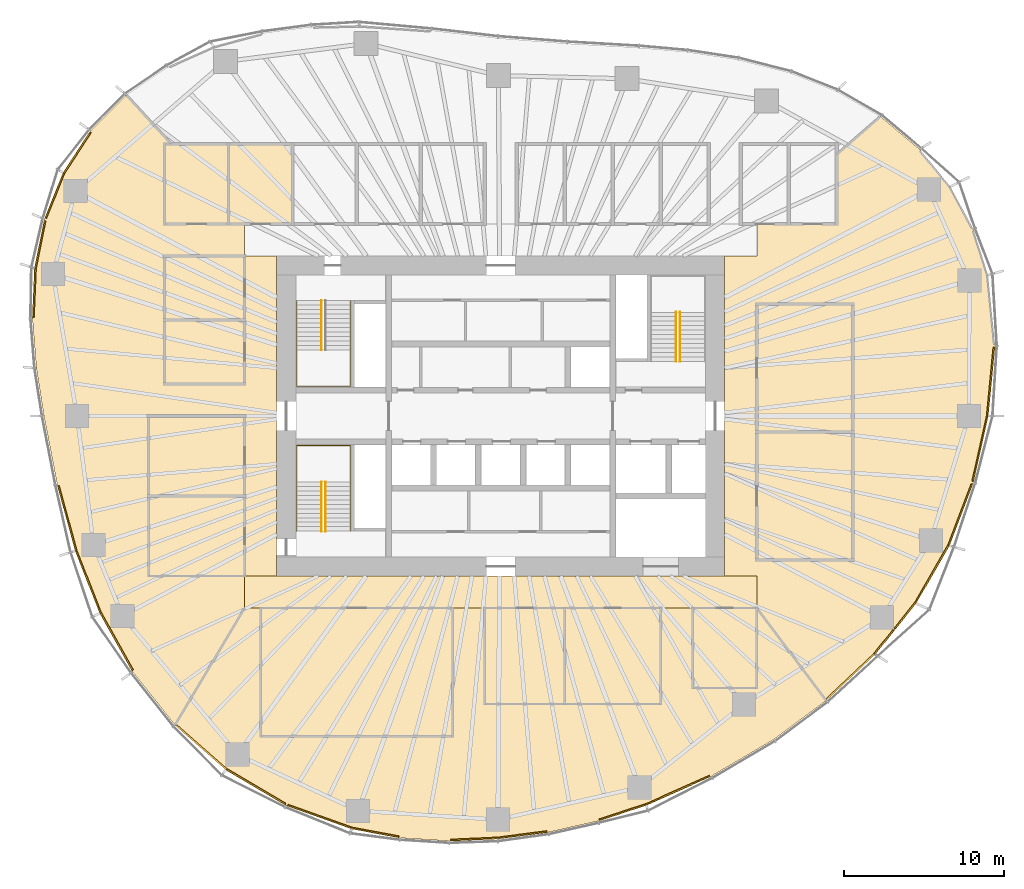
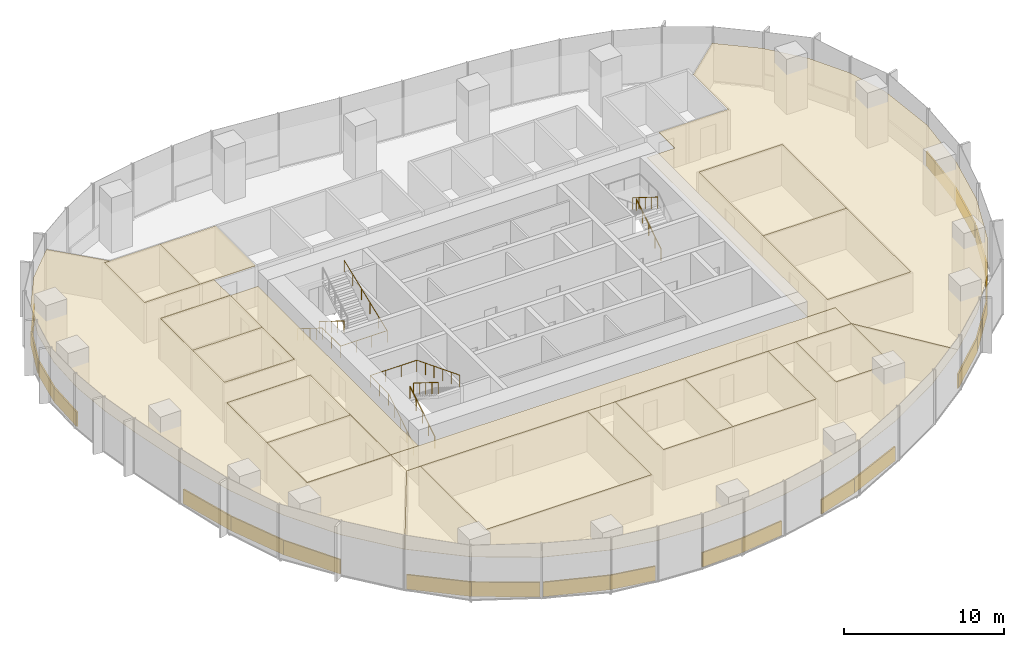
# One storey, part 17 of 18: 38 coverings, 7 railings.
"""IFC4 building model written with IfcOpenShell, lengths in metres."""

import ifcopenshell
import ifcopenshell.guid

model = None  # the IFC model being written
_history = None  # IfcOwnerHistory: only IFC2X3 demands one
_inside = {}  # id of a spatial element -> (the spatial element, [elements in it])
_under = {}  # id of a project, library or spatial element -> (it, [spatial elements below it])
_declared = {}  # id of a project -> (the project, [libraries it declares])
_typed = {}  # id of a type object -> (the type object, [elements of that type])
_made_of = {}  # id of a material, layer set ... -> (it, [elements and type objects made of it])


def new_model(schema):
    """Start an empty IFC model of exactly this schema.

    Asked for "IFC4X3", IfcOpenShell would pick the latest addendum, in which some entities
    have other attributes; the version numbers below select the first issue.
    IFC2X3 requires an IfcOwnerHistory on every rooted entity: one is made here for all.
    """
    global model, _history
    if schema == "IFC4X3":
        model = ifcopenshell.file(schema_version=(4, 3, 0, 0))
    else:
        model = ifcopenshell.file(schema=schema)
    _inside.clear()
    _under.clear()
    _declared.clear()
    _typed.clear()
    _made_of.clear()
    _history = None
    if model.schema == "IFC2X3":
        org = make("IfcOrganization", Name="unknown")
        user = make(
            "IfcPersonAndOrganization",
            ThePerson=make("IfcPerson", FamilyName="unknown"),
            TheOrganization=org,
        )
        app = make(
            "IfcApplication",
            ApplicationDeveloper=org,
            Version="unknown",
            ApplicationFullName="unknown",
            ApplicationIdentifier="unknown",
        )
        _history = make(
            "IfcOwnerHistory",
            OwningUser=user,
            OwningApplication=app,
            ChangeAction="ADDED",
            CreationDate=0,
        )
    return model


def make(cls, **values):
    """One entity of the class cls with the attributes given. An attribute that is None is left unset."""
    return model.create_entity(
        cls, **{name: value for name, value in values.items() if value is not None}
    )


def rooted(cls, **values):
    """An entity with a GlobalId (a new one), such as an element, a storey or a relation."""
    return make(cls, GlobalId=ifcopenshell.guid.new(), OwnerHistory=_history, **values)


def si_unit(unit_type, name, prefix=None):
    """IfcSIUnit, for example si_unit("LENGTHUNIT", "METRE", prefix="MILLI")."""
    return make("IfcSIUnit", UnitType=unit_type, Prefix=prefix, Name=name)


def assignment(units):
    """IfcUnitAssignment: the units of a project."""
    return None if units is None else make("IfcUnitAssignment", Units=units)


def point(xyz):
    """IfcCartesianPoint."""
    return None if xyz is None else make("IfcCartesianPoint", Coordinates=xyz)


def direction(xyz):
    """IfcDirection."""
    return None if xyz is None else make("IfcDirection", DirectionRatios=xyz)


def frame(location, z_axis=None, x_axis=None):
    """IfcAxis2Placement3D, a coordinate frame: its origin and axes. An axis left out is left unset."""
    return make(
        "IfcAxis2Placement3D",
        Location=point(location),
        Axis=direction(z_axis),
        RefDirection=direction(x_axis),
    )


def frame_2d(location, x_axis=None):
    """IfcAxis2Placement2D, a coordinate frame in the plane: its origin and x axis."""
    return make(
        "IfcAxis2Placement2D", Location=point(location), RefDirection=direction(x_axis)
    )


def origin():
    """The frame at (0, 0, 0) with its axes left unset."""
    return frame((0.0, 0.0, 0.0))


def origin_2d():
    """The frame at (0, 0) in the plane with its x axis left unset."""
    return frame_2d((0.0, 0.0))


def place(relative_to, where):
    """IfcLocalPlacement: puts the frame where relative to a parent placement (None: the world)."""
    return make(
        "IfcLocalPlacement", PlacementRelTo=relative_to, RelativePlacement=where
    )


def context(
    kind, dimensions, precision=None, world=None, true_north=None, identifier=None
):
    """IfcGeometricRepresentationContext, for example the 3D "Model" context."""
    return make(
        "IfcGeometricRepresentationContext",
        ContextIdentifier=identifier,
        ContextType=kind,
        CoordinateSpaceDimension=dimensions,
        Precision=precision,
        WorldCoordinateSystem=world,
        TrueNorth=true_north,
    )


def subcontext(parent, identifier, kind, view, scale=None):
    """IfcGeometricRepresentationSubContext, for example "Body" below "Model"."""
    return make(
        "IfcGeometricRepresentationSubContext",
        ContextIdentifier=identifier,
        ContextType=kind,
        ParentContext=parent,
        TargetScale=scale,
        TargetView=view,
    )


def project(units=None, contexts=None):
    """IfcProject with its units and contexts."""
    return rooted(
        "IfcProject",
        Name="project",
        RepresentationContexts=contexts,
        UnitsInContext=assignment(units),
    )


def spatial(cls, under=None, at=None, **own):
    """A site, building, storey or space (cls), placed at a placement, below another one or the project."""
    s = rooted(cls, ObjectPlacement=at, **own)
    if under is not None:
        _under.setdefault(under.id(), (under, []))[1].append(s)
    return s


def polyline(points):
    """IfcPolyline through the points."""
    return make("IfcPolyline", Points=[point(p) for p in points])


def profile(cls, at=None, kind="AREA", **sizes):
    """A parametric profile (cls). Its sizes go by their IFC names, for example OverallWidth=200.0."""
    return make(cls, ProfileType=kind, Position=at, **sizes)


def rectangle(**sizes):
    """IfcRectangleProfileDef."""
    return profile("IfcRectangleProfileDef", **sizes)


def circle(**sizes):
    """IfcCircleProfileDef."""
    return profile("IfcCircleProfileDef", **sizes)


def outline(outer, holes=None, kind="AREA"):
    """IfcArbitraryClosedProfileDef: a profile drawn as a closed curve; with holes, ...WithVoids."""
    if holes is None:
        return make("IfcArbitraryClosedProfileDef", ProfileType=kind, OuterCurve=outer)
    return make(
        "IfcArbitraryProfileDefWithVoids",
        ProfileType=kind,
        OuterCurve=outer,
        InnerCurves=holes,
    )


def extrude(swept, where, along, depth):
    """IfcExtrudedAreaSolid: the profile swept, set in the frame where, extruded along a direction by depth."""
    return make(
        "IfcExtrudedAreaSolid",
        SweptArea=swept,
        Position=where,
        ExtrudedDirection=direction(along),
        Depth=depth,
    )


def shape(context_of_items, identifier, shape_type, items):
    """IfcShapeRepresentation: the items that make up one representation, for example the "Body"."""
    return make(
        "IfcShapeRepresentation",
        ContextOfItems=context_of_items,
        RepresentationIdentifier=identifier,
        RepresentationType=shape_type,
        Items=items,
    )


def material(Name=None, Category=None):
    """IfcMaterial."""
    return make("IfcMaterial", Name=Name, Category=Category)


def layer(
    of_material, thickness, ventilated=None, Name=None, Category=None, Priority=None
):
    """IfcMaterialLayer: one layer of a wall or slab, of a material (None: an air gap)."""
    return make(
        "IfcMaterialLayer",
        Material=of_material,
        LayerThickness=thickness,
        IsVentilated=ventilated,
        Name=Name,
        Category=Category,
        Priority=Priority,
    )


def layer_set(layers, Name=None):
    """IfcMaterialLayerSet."""
    return make("IfcMaterialLayerSet", MaterialLayers=layers, LayerSetName=Name)


def made_of(thing, what):
    """Note that an element or type object is made of a material, layer set ...; save() writes the relation."""
    if what is not None:
        _made_of.setdefault(what.id(), (what, []))[1].append(thing)
    return thing


def type_object(cls, material=None, **own):
    """A type object (cls), such as IfcWallType, which elements share."""
    return made_of(rooted(cls, **own), material)


def element(
    cls,
    number,
    at=None,
    inside=None,
    cuts=None,
    type_object=None,
    material=None,
    context=None,
    identifier="Body",
    shape_type=None,
    held_by="IfcProductDefinitionShape",
    body=None,
    shapes=None,
    **own,
):
    """One element of the class cls, such as IfcWall. Its Tag is "e" and its number.

    at: its placement. inside: the storey or other place that contains it. cuts: it is an
    opening in that element (IfcRelVoidsElement). A single representation is given by context,
    identifier, shape_type and body (its items); several are given by shapes. held_by: the class
    of the entity that holds the representations. save() writes the other relations.
    """
    e = rooted(cls, Tag="e%d" % number, ObjectPlacement=at, **own)
    if body is not None:
        shapes = [shape(context, identifier, shape_type, body)]
    if shapes is not None:
        e.Representation = make(held_by, Representations=shapes)
    if inside is not None:
        _inside.setdefault(inside.id(), (inside, []))[1].append(e)
    if cuts is not None:
        rooted(
            "IfcRelVoidsElement", RelatingBuildingElement=cuts, RelatedOpeningElement=e
        )
    if type_object is not None:
        _typed.setdefault(type_object.id(), (type_object, []))[1].append(e)
    return made_of(e, material)


def aggregate(whole, parts):
    """IfcRelAggregates: a whole, such as a stair, and the parts it consists of."""
    return rooted("IfcRelAggregates", RelatingObject=whole, RelatedObjects=parts)


def save(model, path):
    """Write the relations noted so far, then the file.

    IfcRelAggregates (storeys below a building ...), IfcRelContainedInSpatialStructure (elements
    in a storey), IfcRelDefinesByType, IfcRelAssociatesMaterial and IfcRelDeclares: one each for
    every whole, place, type object, material and project.
    """
    for whole, parts in _under.values():
        aggregate(whole, parts)
    for where, things in _inside.values():
        rooted(
            "IfcRelContainedInSpatialStructure",
            RelatedElements=things,
            RelatingStructure=where,
        )
    for kind, things in _typed.values():
        rooted("IfcRelDefinesByType", RelatedObjects=things, RelatingType=kind)
    for what, things in _made_of.values():
        rooted("IfcRelAssociatesMaterial", RelatedObjects=things, RelatingMaterial=what)
    for by, libraries in _declared.values():
        rooted("IfcRelDeclares", RelatingContext=by, RelatedDefinitions=libraries)
    model.write(path)


model = new_model("IFC4")

# Units and contexts
model_context = context("Model", 3, precision=1e-05, world=origin(), true_north=direction((0.0, 1.0)))
body_context = subcontext(model_context, "Body", "Model", "MODEL_VIEW")
ifc_project = project(units=[si_unit("LENGTHUNIT", "METRE"), si_unit("AREAUNIT", "SQUARE_METRE"), si_unit("VOLUMEUNIT", "CUBIC_METRE"), si_unit("PLANEANGLEUNIT", "RADIAN"), si_unit("MASSUNIT", "GRAM", prefix="KILO")], contexts=[model_context])

# Site, building, storey
site_placement = place(None, origin())
site = spatial("IfcSite", under=ifc_project, at=site_placement, CompositionType="ELEMENT")
building_placement = place(site_placement, origin())
building = spatial("IfcBuilding", under=site, at=building_placement, Name="Ghaith Harvest Tower", CompositionType="ELEMENT")
storey_placement = place(building_placement, frame((0.0, 0.0, 142.800048828125)))
storey = spatial("IfcBuildingStorey", under=building, at=storey_placement, Name="L30", CompositionType="ELEMENT", Elevation=142.800048828125)

# Coverings
ifc_material_1 = material(Name="Mineral fibre ceiling tile", Category="gypsum")
ifc_layer_1 = layer(ifc_material_1, 0.02001953125)
ifc_layer_set_1 = layer_set([ifc_layer_1], Name="CEILING C1")
covering_type_1 = type_object("IfcCoveringType", Name="CEILING C1", PredefinedType="CEILING", material=ifc_layer_set_1)
covering_1_placement = place(storey_placement, frame((0.0, 0.0, 3.0)))
element("IfcCovering", 1, at=covering_1_placement, inside=storey, type_object=covering_type_1, Name="Ceiling L30-01", PredefinedType="CEILING", context=body_context, shape_type="SweptSolid", body=[
    extrude(outline(polyline([(-15.0, -20.0), (-3.0, -20.0), (-3.0, -12.0), (-15.0, -12.0), (-15.0, -20.0)])), origin(), (0.0, 0.0, 1.0), 0.02001953125),
])
covering_2_placement = place(storey_placement, frame((0.0, 0.0, 3.0)))
element("IfcCovering", 2, at=covering_2_placement, inside=storey, type_object=covering_type_1, Name="Ceiling L30-02", PredefinedType="CEILING", context=body_context, shape_type="SweptSolid", body=[
    extrude(outline(polyline([(-1.0, -18.0), (4.0, -18.0), (4.0, -12.0), (-1.0, -12.0), (-1.0, -18.0)])), origin(), (0.0, 0.0, 1.0), 0.02001953125),
])
covering_3_placement = place(storey_placement, frame((0.0, 0.0, 3.0)))
element("IfcCovering", 3, at=covering_3_placement, inside=storey, type_object=covering_type_1, Name="Ceiling L30-03", PredefinedType="CEILING", context=body_context, shape_type="SweptSolid", body=[
    extrude(outline(polyline([(4.0, -18.0), (10.0, -18.0), (10.0, -12.0), (4.0, -12.0), (4.0, -18.0)])), origin(), (0.0, 0.0, 1.0), 0.02001953125),
])
covering_4_placement = place(storey_placement, frame((0.0, 0.0, 3.0)))
element("IfcCovering", 4, at=covering_4_placement, inside=storey, type_object=covering_type_1, Name="Ceiling L30-04", PredefinedType="CEILING", context=body_context, shape_type="SweptSolid", body=[
    extrude(outline(polyline([(-21.0, 12.0), (-17.0, 12.0), (-17.0, 17.0), (-21.0, 17.0), (-21.0, 12.0)])), origin(), (0.0, 0.0, 1.0), 0.02001953125),
])
covering_5_placement = place(storey_placement, frame((0.0, 0.0, 3.0)))
element("IfcCovering", 5, at=covering_5_placement, inside=storey, type_object=covering_type_1, Name="Ceiling L30-05", PredefinedType="CEILING", context=body_context, shape_type="SweptSolid", body=[
    extrude(outline(polyline([(-17.0, 12.0), (-13.0, 12.0), (-13.0, 17.0), (-17.0, 17.0), (-17.0, 12.0)])), origin(), (0.0, 0.0, 1.0), 0.02001953125),
])
covering_6_placement = place(storey_placement, frame((0.0, 0.0, 3.0)))
element("IfcCovering", 6, at=covering_6_placement, inside=storey, type_object=covering_type_1, Name="Ceiling L30-13", PredefinedType="CEILING", context=body_context, shape_type="SweptSolid", body=[
    extrude(outline(polyline([(16.0, -9.0), (22.0, -9.0), (22.0, -1.0), (16.0, -1.0), (16.0, -9.0)])), origin(), (0.0, 0.0, 1.0), 0.02001953125),
])
covering_7_placement = place(storey_placement, frame((0.0, 0.0, 3.0)))
element("IfcCovering", 7, at=covering_7_placement, inside=storey, type_object=covering_type_1, Name="Ceiling L30-14", PredefinedType="CEILING", context=body_context, shape_type="SweptSolid", body=[
    extrude(outline(polyline([(16.0, -1.0), (22.0, -1.0), (22.0, 7.0), (16.0, 7.0), (16.0, -1.0)])), origin(), (0.0, 0.0, 1.0), 0.02001953125),
])
covering_8_placement = place(storey_placement, frame((0.0, 0.0, 3.0)))
element("IfcCovering", 8, at=covering_8_placement, inside=storey, type_object=covering_type_1, Name="Ceiling L30-15", PredefinedType="CEILING", context=body_context, shape_type="SweptSolid", body=[
    extrude(outline(polyline([(-22.0, -10.0), (-16.0, -10.0), (-16.0, -5.0), (-22.0, -5.0), (-22.0, -10.0)])), origin(), (0.0, 0.0, 1.0), 0.02001953125),
])
covering_9_placement = place(storey_placement, frame((0.0, 0.0, 3.0)))
element("IfcCovering", 9, at=covering_9_placement, inside=storey, type_object=covering_type_1, Name="Ceiling L30-16", PredefinedType="CEILING", context=body_context, shape_type="SweptSolid", body=[
    extrude(outline(polyline([(-22.0, -5.0), (-16.0, -5.0), (-16.0, 0.0), (-22.0, 0.0), (-22.0, -5.0)])), origin(), (0.0, 0.0, 1.0), 0.02001953125),
])
covering_10_placement = place(storey_placement, frame((0.0, 0.0, 3.0)))
element("IfcCovering", 10, at=covering_10_placement, inside=storey, type_object=covering_type_1, Name="Ceiling L30-19", PredefinedType="CEILING", context=body_context, shape_type="SweptSolid", body=[
    extrude(outline(polyline([(12.0, -17.0), (16.0, -17.0), (16.0, -12.0), (12.0, -12.0), (12.0, -17.0)])), origin(), (0.0, 0.0, 1.0), 0.02001953125),
])
covering_11_placement = place(storey_placement, frame((0.0, 0.0, 3.0)))
element("IfcCovering", 11, at=covering_11_placement, inside=storey, type_object=covering_type_1, Name="Ceiling L30-20", PredefinedType="CEILING", context=body_context, shape_type="SweptSolid", body=[
    extrude(outline(polyline([(-21.0, 2.0), (-16.0, 2.0), (-16.0, 6.0), (-21.0, 6.0), (-21.0, 2.0)])), origin(), (0.0, 0.0, 1.0), 0.02001953125),
])
covering_12_placement = place(storey_placement, frame((0.0, 0.0, 3.0)))
element("IfcCovering", 12, at=covering_12_placement, inside=storey, type_object=covering_type_1, Name="Ceiling L30-21", PredefinedType="CEILING", context=body_context, shape_type="SweptSolid", body=[
    extrude(outline(polyline([(-21.0, 6.0), (-16.0, 6.0), (-16.0, 10.0), (-21.0, 10.0), (-21.0, 6.0)])), origin(), (0.0, 0.0, 1.0), 0.02001953125),
])
covering_13_placement = place(storey_placement, frame((0.0, 0.0, 3.0)))
element("IfcCovering", 13, at=covering_13_placement, inside=storey, type_object=covering_type_1, Name="Ceiling L30-C2", PredefinedType="CEILING", context=body_context, shape_type="SweptSolid", body=[
    extrude(outline(polyline([(-16.0, -10.0), (16.0, -10.0), (16.0, -12.0), (-16.0, -12.0), (-16.0, -10.0)])), origin(), (0.0, 0.0, 1.0), 0.02001953125),
])
covering_14_placement = place(storey_placement, frame((0.0, 0.0, 3.0)))
element("IfcCovering", 14, at=covering_14_placement, inside=storey, type_object=covering_type_1, Name="Ceiling L30-E1", PredefinedType="CEILING", context=body_context, shape_type="SweptSolid", body=[
    extrude(outline(polyline([(26.179443359375, 16.660888671875), (28.0888671875, 14.32568359375), (29.52294921875, 11.671875), (30.439208984375, 8.797607421875), (30.8798828125, 4.373046875), (30.458740234375, 0.0), (29.527099609375, -4.181396484375), (28.03125, -8.1015625), (25.94775390625, -11.714111328125), (23.400390625, -14.89208984375), (20.33935546875, -17.784912109375), (16.0, -12.0), (16.0, -10.0), (14.0, -10.0), (14.0, 10.0), (16.0, 10.0), (16.0, 12.0), (21.0, 12.0), (21.0, 16.3466796875), (23.7275390625, 18.718017578125), (26.179443359375, 16.660888671875)]), holes=[polyline([(16.0, 7.0), (16.0, -9.0), (22.0, -9.0), (22.0, 7.0), (16.0, 7.0)])]), origin(), (0.0, 0.0, 1.0), 0.02001953125),
])
covering_15_placement = place(storey_placement, frame((0.0, 0.0, 3.0)))
element("IfcCovering", 15, at=covering_15_placement, inside=storey, type_object=covering_type_1, Name="Ceiling L30-S1", PredefinedType="CEILING", context=body_context, shape_type="SweptSolid", body=[
    extrude(outline(polyline([(17.054443359375, -20.22412109375), (13.163818359375, -22.510498046875), (9.09423828125, -24.326904296875), (6.09228515625, -25.308837890625), (2.99609375, -26.010009765625), (-0.180908203125, -26.423583984375), (-3.204833984375, -26.556884765625), (-6.2666015625, -26.366455078125), (-9.317138671875, -25.79638671875), (-13.4052734375, -24.33740234375), (-17.1728515625, -22.11181640625), (-20.35400390625, -19.31396484375), (-16.0, -12.0), (-15.0, -12.0), (-15.0, -20.0), (-3.0, -20.0), (-3.0, -12.0), (-1.0, -12.0), (-1.0, -18.0), (10.0, -18.0), (10.0, -12.0), (12.0, -12.0), (12.0, -17.0), (16.0, -17.0), (16.0, -12.0), (20.33935546875, -17.784912109375), (17.054443359375, -20.22412109375)])), origin(), (0.0, 0.0, 1.0), 0.02001953125),
])
covering_16_placement = place(storey_placement, frame((0.0, 0.0, 3.0)))
element("IfcCovering", 16, at=covering_16_placement, inside=storey, type_object=covering_type_1, Name="Ceiling L30-W1", PredefinedType="CEILING", context=body_context, shape_type="SweptSolid", body=[
    extrude(outline(polyline([(-29.12646484375, 9.230712890625), (-28.506591796875, 12.29638671875), (-27.33837890625, 15.204833984375), (-25.61962890625, 17.826416015625), (-23.398193359375, 20.06103515625), (-20.5888671875, 17.0), (-21.0, 17.0), (-21.0, 12.0), (-16.0, 12.0), (-16.0, 10.010009765625), (-21.010009765625, 10.010009765625), (-21.010009765625, 1.989990234375), (-15.989990234375, 1.989990234375), (-15.989990234375, 10.0), (-14.0, 10.0), (-14.0, -10.0), (-15.989990234375, -10.0), (-15.989990234375, 0.010009765625), (-22.010009765625, 0.010009765625), (-22.010009765625, -10.010009765625), (-16.0, -10.010009765625), (-16.0, -12.0), (-20.35400390625, -19.31396484375), (-22.99169921875, -15.997802734375), (-25.046875, -12.32861328125), (-26.580078125, -8.423583984375), (-27.70947265625, -4.285888671875), (-28.541259765625, 0.0), (-29.01171875, 2.978271484375), (-29.260498046875, 6.07177734375), (-29.12646484375, 9.230712890625)])), origin(), (0.0, 0.0, 1.0), 0.02001953125),
])

# Railings
ifc_material_2 = material(Name="Steel, black powder-coated", Category="steel")
railing_type = type_object("IfcRailingType", Name="HANDRAIL HR1", PredefinedType="HANDRAIL", material=ifc_material_2)
railing_1_placement = place(storey_placement, frame((-11.199951171875, 7.199951171875, 0.175048828125)))
element("IfcRailing", 17, at=railing_1_placement, inside=storey, type_object=railing_type, Name="Handrail HR1 stair ST1 L30 flight 1 inner", PredefinedType="HANDRAIL", context=body_context, shape_type="SweptSolid", body=[
    extrude(circle(Radius=0.02392578125, at=origin_2d()), frame((0.0, 0.0, 0.8759765625), z_axis=(0.0, -0.848009633417, 0.529980812513), x_axis=(1.0, 0.0, 0.0)), (0.0, 0.0, 1.0), 3.6318359375),
    extrude(circle(Radius=0.02099609375, at=origin_2d()), origin(), (0.0, 0.0, 1.0), 0.851806640625),
    extrude(circle(Radius=0.02099609375, at=origin_2d()), frame((0.0, -0.77001953125, 0.481201171875)), (0.0, 0.0, 1.0), 0.851806640625),
    extrude(circle(Radius=0.02099609375, at=origin_2d()), frame((0.0, -1.5400390625, 0.96240234375)), (0.0, 0.0, 1.0), 0.851806640625),
    extrude(circle(Radius=0.02099609375, at=origin_2d()), frame((0.0, -2.309814453125, 1.443603515625)), (0.0, 0.0, 1.0), 0.851806640625),
    extrude(circle(Radius=0.02099609375, at=origin_2d()), frame((0.0, -3.079833984375, 1.9248046875)), (0.0, 0.0, 1.0), 0.851806640625),
])
railing_2_placement = place(storey_placement, frame((-12.75, 7.199951171875, 0.175048828125)))
element("IfcRailing", 18, at=railing_2_placement, inside=storey, type_object=railing_type, Name="Handrail HR1 stair ST1 L30 wall side", PredefinedType="HANDRAIL", context=body_context, shape_type="SweptSolid", body=[
    extrude(circle(Radius=0.02392578125, at=origin_2d()), frame((0.0, 0.0, 0.8759765625), z_axis=(0.0, -0.848009633417, 0.529980812513), x_axis=(1.0, 0.0, 0.0)), (0.0, 0.0, 1.0), 3.6318359375),
    extrude(circle(Radius=0.02392578125, at=origin_2d()), frame((0.0, -3.079833984375, 2.80078125), z_axis=(0.0, -1.0, 0.0), x_axis=(1.0, 0.0, 0.0)), (0.0, 0.0, 1.0), 2.27001953125),
    extrude(circle(Radius=0.02392578125, at=origin_2d()), frame((0.0, -5.349853515625, 2.80078125), z_axis=(1.0, 0.0, 0.0), x_axis=(0.0, 1.0, 0.0)), (0.0, 0.0, 1.0), 3.35009765625),
    extrude(circle(Radius=0.02392578125, at=origin_2d()), frame((3.35009765625, -5.349853515625, 2.80078125), z_axis=(0.0, 0.930848013298, 0.36540659017), x_axis=(-1.0, 0.0, 0.0)), (0.0, 0.0, 1.0), 5.747314453125),
    extrude(circle(Radius=0.02099609375, at=origin_2d()), origin(), (0.0, 0.0, 1.0), 0.851806640625),
    extrude(circle(Radius=0.02099609375, at=origin_2d()), frame((0.0, -0.77001953125, 0.481201171875)), (0.0, 0.0, 1.0), 0.851806640625),
    extrude(circle(Radius=0.02099609375, at=origin_2d()), frame((0.0, -1.5400390625, 0.96240234375)), (0.0, 0.0, 1.0), 0.851806640625),
    extrude(circle(Radius=0.02099609375, at=origin_2d()), frame((0.0, -2.309814453125, 1.443603515625)), (0.0, 0.0, 1.0), 0.851806640625),
    extrude(circle(Radius=0.02099609375, at=origin_2d()), frame((0.0, -3.079833984375, 1.9248046875)), (0.0, 0.0, 1.0), 0.851806640625),
    extrude(circle(Radius=0.02099609375, at=origin_2d()), frame((0.0, -4.21484375, 1.9248046875)), (0.0, 0.0, 1.0), 0.851806640625),
    extrude(circle(Radius=0.02099609375, at=origin_2d()), frame((0.0, -5.349853515625, 1.9248046875)), (0.0, 0.0, 1.0), 0.851806640625),
    extrude(circle(Radius=0.02099609375, at=origin_2d()), frame((1.11669921875, -5.349853515625, 1.9248046875)), (0.0, 0.0, 1.0), 0.851806640625),
    extrude(circle(Radius=0.02099609375, at=origin_2d()), frame((2.2333984375, -5.349853515625, 1.9248046875)), (0.0, 0.0, 1.0), 0.851806640625),
    extrude(circle(Radius=0.02099609375, at=origin_2d()), frame((3.35009765625, -5.349853515625, 1.9248046875)), (0.0, 0.0, 1.0), 0.851806640625),
    extrude(circle(Radius=0.02099609375, at=origin_2d()), frame((3.35009765625, -4.27978515625, 2.3447265625)), (0.0, 0.0, 1.0), 0.851806640625),
    extrude(circle(Radius=0.02099609375, at=origin_2d()), frame((3.35009765625, -3.2099609375, 2.764892578125)), (0.0, 0.0, 1.0), 0.851806640625),
    extrude(circle(Radius=0.02099609375, at=origin_2d()), frame((3.35009765625, -2.139892578125, 3.184814453125)), (0.0, 0.0, 1.0), 0.851806640625),
    extrude(circle(Radius=0.02099609375, at=origin_2d()), frame((3.35009765625, -1.070068359375, 3.60498046875)), (0.0, 0.0, 1.0), 0.851806640625),
    extrude(circle(Radius=0.02099609375, at=origin_2d()), frame((3.35009765625, 0.0, 4.02490234375)), (0.0, 0.0, 1.0), 0.851806640625),
])
railing_3_placement = place(storey_placement, frame((-11.199951171875, -7.199951171875, 0.175048828125)))
element("IfcRailing", 19, at=railing_3_placement, inside=storey, type_object=railing_type, Name="Handrail HR1 stair ST3 L30 flight 1 inner", PredefinedType="HANDRAIL", context=body_context, shape_type="SweptSolid", body=[
    extrude(circle(Radius=0.02392578125, at=origin_2d()), frame((0.0, 0.0, 0.8759765625), z_axis=(0.0, 0.848009633417, 0.529980812513), x_axis=(-1.0, 0.0, 0.0)), (0.0, 0.0, 1.0), 3.6318359375),
    extrude(circle(Radius=0.02099609375, at=origin_2d()), origin(), (0.0, 0.0, 1.0), 0.851806640625),
    extrude(circle(Radius=0.02099609375, at=origin_2d()), frame((0.0, 0.77001953125, 0.481201171875)), (0.0, 0.0, 1.0), 0.851806640625),
    extrude(circle(Radius=0.02099609375, at=origin_2d()), frame((0.0, 1.5400390625, 0.96240234375)), (0.0, 0.0, 1.0), 0.851806640625),
    extrude(circle(Radius=0.02099609375, at=origin_2d()), frame((0.0, 2.309814453125, 1.443603515625)), (0.0, 0.0, 1.0), 0.851806640625),
    extrude(circle(Radius=0.02099609375, at=origin_2d()), frame((0.0, 3.079833984375, 1.9248046875)), (0.0, 0.0, 1.0), 0.851806640625),
])
railing_4_placement = place(storey_placement, frame((-10.949951171875, -4.1201171875, 2.27490234375)))
element("IfcRailing", 20, at=railing_4_placement, inside=storey, type_object=railing_type, Name="Handrail HR1 stair ST3 L30 flight 2 inner", PredefinedType="HANDRAIL", context=body_context, shape_type="SweptSolid", body=[
    extrude(circle(Radius=0.02392578125, at=origin_2d()), frame((0.0, 0.0, 0.8759765625), z_axis=(0.0, -0.847979421464, 0.530029150871), x_axis=(1.0, 0.0, 0.0)), (0.0, 0.0, 1.0), 3.632080078125),
    extrude(circle(Radius=0.02099609375, at=origin_2d()), origin(), (0.0, 0.0, 1.0), 0.851806640625),
    extrude(circle(Radius=0.02099609375, at=origin_2d()), frame((0.0, -0.77001953125, 0.481201171875)), (0.0, 0.0, 1.0), 0.851806640625),
    extrude(circle(Radius=0.02099609375, at=origin_2d()), frame((0.0, -1.5400390625, 0.96240234375)), (0.0, 0.0, 1.0), 0.851806640625),
    extrude(circle(Radius=0.02099609375, at=origin_2d()), frame((0.0, -2.309814453125, 1.44384765625)), (0.0, 0.0, 1.0), 0.851806640625),
    extrude(circle(Radius=0.02099609375, at=origin_2d()), frame((0.0, -3.079833984375, 1.925048828125)), (0.0, 0.0, 1.0), 0.851806640625),
])
railing_5_placement = place(storey_placement, frame((-12.75, -7.199951171875, 0.175048828125)))
element("IfcRailing", 21, at=railing_5_placement, inside=storey, type_object=railing_type, Name="Handrail HR1 stair ST3 L30 wall side", PredefinedType="HANDRAIL", context=body_context, shape_type="SweptSolid", body=[
    extrude(circle(Radius=0.02392578125, at=origin_2d()), frame((0.0, 0.0, 0.8759765625), z_axis=(0.0, 0.848009633417, 0.529980812513), x_axis=(-1.0, 0.0, 0.0)), (0.0, 0.0, 1.0), 3.6318359375),
    extrude(circle(Radius=0.02392578125, at=origin_2d()), frame((0.0, 3.079833984375, 2.80078125), z_axis=(0.0, 1.0, 0.0), x_axis=(-1.0, 0.0, 0.0)), (0.0, 0.0, 1.0), 2.27001953125),
    extrude(circle(Radius=0.02392578125, at=origin_2d()), frame((0.0, 5.349853515625, 2.80078125), z_axis=(1.0, 0.0, 0.0), x_axis=(0.0, 1.0, 0.0)), (0.0, 0.0, 1.0), 3.35009765625),
    extrude(circle(Radius=0.02392578125, at=origin_2d()), frame((3.35009765625, 5.349853515625, 2.80078125), z_axis=(0.0, -0.930848013298, 0.36540659017), x_axis=(1.0, 0.0, 0.0)), (0.0, 0.0, 1.0), 5.747314453125),
    extrude(circle(Radius=0.02099609375, at=origin_2d()), origin(), (0.0, 0.0, 1.0), 0.851806640625),
    extrude(circle(Radius=0.02099609375, at=origin_2d()), frame((0.0, 0.77001953125, 0.481201171875)), (0.0, 0.0, 1.0), 0.851806640625),
    extrude(circle(Radius=0.02099609375, at=origin_2d()), frame((0.0, 1.5400390625, 0.96240234375)), (0.0, 0.0, 1.0), 0.851806640625),
    extrude(circle(Radius=0.02099609375, at=origin_2d()), frame((0.0, 2.309814453125, 1.443603515625)), (0.0, 0.0, 1.0), 0.851806640625),
    extrude(circle(Radius=0.02099609375, at=origin_2d()), frame((0.0, 3.079833984375, 1.9248046875)), (0.0, 0.0, 1.0), 0.851806640625),
    extrude(circle(Radius=0.02099609375, at=origin_2d()), frame((0.0, 4.21484375, 1.9248046875)), (0.0, 0.0, 1.0), 0.851806640625),
    extrude(circle(Radius=0.02099609375, at=origin_2d()), frame((0.0, 5.349853515625, 1.9248046875)), (0.0, 0.0, 1.0), 0.851806640625),
    extrude(circle(Radius=0.02099609375, at=origin_2d()), frame((1.11669921875, 5.349853515625, 1.9248046875)), (0.0, 0.0, 1.0), 0.851806640625),
    extrude(circle(Radius=0.02099609375, at=origin_2d()), frame((2.2333984375, 5.349853515625, 1.9248046875)), (0.0, 0.0, 1.0), 0.851806640625),
    extrude(circle(Radius=0.02099609375, at=origin_2d()), frame((3.35009765625, 5.349853515625, 1.9248046875)), (0.0, 0.0, 1.0), 0.851806640625),
    extrude(circle(Radius=0.02099609375, at=origin_2d()), frame((3.35009765625, 4.27978515625, 2.3447265625)), (0.0, 0.0, 1.0), 0.851806640625),
    extrude(circle(Radius=0.02099609375, at=origin_2d()), frame((3.35009765625, 3.2099609375, 2.764892578125)), (0.0, 0.0, 1.0), 0.851806640625),
    extrude(circle(Radius=0.02099609375, at=origin_2d()), frame((3.35009765625, 2.139892578125, 3.184814453125)), (0.0, 0.0, 1.0), 0.851806640625),
    extrude(circle(Radius=0.02099609375, at=origin_2d()), frame((3.35009765625, 1.070068359375, 3.60498046875)), (0.0, 0.0, 1.0), 0.851806640625),
    extrude(circle(Radius=0.02099609375, at=origin_2d()), frame((3.35009765625, 0.0, 4.02490234375)), (0.0, 0.0, 1.0), 0.851806640625),
])
railing_6_placement = place(storey_placement, frame((11.199951171875, 3.39990234375, 0.175048828125)))
element("IfcRailing", 22, at=railing_6_placement, inside=storey, type_object=railing_type, Name="Handrail HR1 stair ST2 L30 flight 1 inner", PredefinedType="HANDRAIL", context=body_context, shape_type="SweptSolid", body=[
    extrude(circle(Radius=0.02392578125, at=origin_2d()), frame((0.0, 0.0, 0.8759765625), z_axis=(0.0, 0.848028513186, 0.529950602248), x_axis=(-1.0, 0.0, 0.0)), (0.0, 0.0, 1.0), 3.632080078125),
    extrude(circle(Radius=0.02099609375, at=origin_2d()), origin(), (0.0, 0.0, 1.0), 0.851806640625),
    extrude(circle(Radius=0.02099609375, at=origin_2d()), frame((0.0, 0.77001953125, 0.481201171875)), (0.0, 0.0, 1.0), 0.851806640625),
    extrude(circle(Radius=0.02099609375, at=origin_2d()), frame((0.0, 1.5400390625, 0.96240234375)), (0.0, 0.0, 1.0), 0.851806640625),
    extrude(circle(Radius=0.02099609375, at=origin_2d()), frame((0.0, 2.31005859375, 1.443603515625)), (0.0, 0.0, 1.0), 0.851806640625),
    extrude(circle(Radius=0.02099609375, at=origin_2d()), frame((0.0, 3.080078125, 1.9248046875)), (0.0, 0.0, 1.0), 0.851806640625),
])
railing_7_placement = place(storey_placement, frame((10.949951171875, 6.47998046875, 2.27490234375)))
element("IfcRailing", 23, at=railing_7_placement, inside=storey, type_object=railing_type, Name="Handrail HR1 stair ST2 L30 flight 2 inner", PredefinedType="HANDRAIL", context=body_context, shape_type="SweptSolid", body=[
    extrude(circle(Radius=0.02392578125, at=origin_2d()), frame((0.0, 0.0, 0.8759765625), z_axis=(0.0, -0.847998304005, 0.529998940003), x_axis=(1.0, 0.0, 0.0)), (0.0, 0.0, 1.0), 3.632080078125),
    extrude(circle(Radius=0.02099609375, at=origin_2d()), origin(), (0.0, 0.0, 1.0), 0.851806640625),
    extrude(circle(Radius=0.02099609375, at=origin_2d()), frame((0.0, -0.77001953125, 0.481201171875)), (0.0, 0.0, 1.0), 0.851806640625),
    extrude(circle(Radius=0.02099609375, at=origin_2d()), frame((0.0, -1.5400390625, 0.96240234375)), (0.0, 0.0, 1.0), 0.851806640625),
    extrude(circle(Radius=0.02099609375, at=origin_2d()), frame((0.0, -2.31005859375, 1.44384765625)), (0.0, 0.0, 1.0), 0.851806640625),
    extrude(circle(Radius=0.02099609375, at=origin_2d()), frame((0.0, -3.080078125, 1.925048828125)), (0.0, 0.0, 1.0), 0.851806640625),
])

# Coverings
ifc_material_3 = material(Name="Insulated aluminium spandrel panel on steel framing", Category="steel")
ifc_layer_2 = layer(ifc_material_3, 0.10009765625)
ifc_layer_set_2 = layer_set([ifc_layer_2], Name="SLAB EDGE UPSTAND 1100x100")
covering_type_2 = type_object("IfcCoveringType", Name="SLAB EDGE UPSTAND 1100x100", PredefinedType="CLADDING", material=ifc_layer_set_2)
covering_17_placement = place(storey_placement, frame((30.61474609375, 2.1416015625, 0.0), z_axis=(0.0, 0.0, 1.0), x_axis=(0.095861332319, 0.99539469808, 0.0)))
element("IfcCovering", 24, at=covering_17_placement, inside=storey, type_object=covering_type_2, Name="Slab edge upstand 1 bay 01 L30", PredefinedType="CLADDING", context=body_context, shape_type="SweptSolid", body=[
    extrude(rectangle(XDim=4.293212890625, YDim=0.10009765625, at=origin_2d()), origin(), (0.0, 0.0, 1.0), 1.10009765625),
])
covering_18_placement = place(storey_placement, frame((-26.464599609375, 16.4462890625, 0.0), z_axis=(0.0, 0.0, 1.0), x_axis=(-0.548312211554, -0.836273710373, 0.0)))
element("IfcCovering", 25, at=covering_18_placement, inside=storey, type_object=covering_type_2, Name="Slab edge upstand 1 bay 09 L30", PredefinedType="CLADDING", context=body_context, shape_type="SweptSolid", body=[
    extrude(rectangle(XDim=3.03466796875, YDim=0.10009765625, at=origin_2d()), origin(), (0.0, 0.0, 1.0), 1.10009765625),
])
covering_19_placement = place(storey_placement, frame((-27.857421875, 13.7783203125, 0.0), z_axis=(0.0, 0.0, 1.0), x_axis=(-0.372732078847, -0.927939005215, 0.0)))
element("IfcCovering", 26, at=covering_19_placement, inside=storey, type_object=covering_type_2, Name="Slab edge upstand 2 bay 09 L30", PredefinedType="CLADDING", context=body_context, shape_type="SweptSolid", body=[
    extrude(rectangle(XDim=3.034423828125, YDim=0.10009765625, at=origin_2d()), origin(), (0.0, 0.0, 1.0), 1.10009765625),
])
covering_20_placement = place(storey_placement, frame((-28.777587890625, 10.70458984375, 0.0), z_axis=(0.0, 0.0, 1.0), x_axis=(-0.198182542943, -0.980165128778, 0.0)))
element("IfcCovering", 27, at=covering_20_placement, inside=storey, type_object=covering_type_2, Name="Slab edge upstand 3 bay 09 L30", PredefinedType="CLADDING", context=body_context, shape_type="SweptSolid", body=[
    extrude(rectangle(XDim=3.027587890625, YDim=0.10009765625, at=origin_2d()), origin(), (0.0, 0.0, 1.0), 1.10009765625),
])
covering_21_placement = place(storey_placement, frame((-29.141357421875, 7.69921875, 0.0), z_axis=(0.0, 0.0, 1.0), x_axis=(-0.042372799788, -0.9991018696, 0.0)))
element("IfcCovering", 28, at=covering_21_placement, inside=storey, type_object=covering_type_2, Name="Slab edge upstand 1 bay 10 L30", PredefinedType="CLADDING", context=body_context, shape_type="SweptSolid", body=[
    extrude(rectangle(XDim=3.061767578125, YDim=0.10009765625, at=origin_2d()), origin(), (0.0, 0.0, 1.0), 1.10009765625),
])
covering_22_placement = place(storey_placement, frame((-27.08349609375, -6.389892578125, 0.0), z_axis=(0.0, 0.0, 1.0), x_axis=(0.263287721652, -0.964717355305, 0.0)))
element("IfcCovering", 29, at=covering_22_placement, inside=storey, type_object=covering_type_2, Name="Slab edge upstand 2 bay 11 L30", PredefinedType="CLADDING", context=body_context, shape_type="SweptSolid", body=[
    extrude(rectangle(XDim=4.189208984375, YDim=0.10009765625, at=origin_2d()), origin(), (0.0, 0.0, 1.0), 1.10009765625),
])
covering_23_placement = place(storey_placement, frame((-25.76708984375, -10.35791015625, 0.0), z_axis=(0.0, 0.0, 1.0), x_axis=(0.365514970008, -0.930805461254, 0.0)))
element("IfcCovering", 30, at=covering_23_placement, inside=storey, type_object=covering_type_2, Name="Slab edge upstand 1 bay 12 L30", PredefinedType="CLADDING", context=body_context, shape_type="SweptSolid", body=[
    extrude(rectangle(XDim=4.195068359375, YDim=0.10009765625, at=origin_2d()), origin(), (0.0, 0.0, 1.0), 1.10009765625),
])
covering_24_placement = place(storey_placement, frame((-24.0, -14.09521484375, 0.0), z_axis=(0.0, 0.0, 1.0), x_axis=(0.488683758288, -0.872460993045, 0.0)))
element("IfcCovering", 31, at=covering_24_placement, inside=storey, type_object=covering_type_2, Name="Slab edge upstand 2 bay 12 L30", PredefinedType="CLADDING", context=body_context, shape_type="SweptSolid", body=[
    extrude(rectangle(XDim=4.10546875, YDim=0.10009765625, at=origin_2d()), origin(), (0.0, 0.0, 1.0), 1.10009765625),
])
covering_25_placement = place(storey_placement, frame((-18.69287109375, -20.70849609375, 0.0), z_axis=(0.0, 0.0, 1.0), x_axis=(0.75089221411, -0.660424774511, 0.0)))
element("IfcCovering", 32, at=covering_25_placement, inside=storey, type_object=covering_type_2, Name="Slab edge upstand 2 bay 13 L30", PredefinedType="CLADDING", context=body_context, shape_type="SweptSolid", body=[
    extrude(rectangle(XDim=4.136474609375, YDim=0.10009765625, at=origin_2d()), origin(), (0.0, 0.0, 1.0), 1.10009765625),
])
covering_26_placement = place(storey_placement, frame((-15.306640625, -23.15625, 0.0), z_axis=(0.0, 0.0, 1.0), x_axis=(0.861020519069, -0.508570217121, 0.0)))
element("IfcCovering", 33, at=covering_26_placement, inside=storey, type_object=covering_type_2, Name="Slab edge upstand 1 bay 14 L30", PredefinedType="CLADDING", context=body_context, shape_type="SweptSolid", body=[
    extrude(rectangle(XDim=4.27587890625, YDim=0.10009765625, at=origin_2d()), origin(), (0.0, 0.0, 1.0), 1.10009765625),
])
covering_27_placement = place(storey_placement, frame((-11.29736328125, -25.03662109375, 0.0), z_axis=(0.0, 0.0, 1.0), x_axis=(0.941807015649, -0.336154049915, 0.0)))
element("IfcCovering", 34, at=covering_27_placement, inside=storey, type_object=covering_type_2, Name="Slab edge upstand 2 bay 14 L30", PredefinedType="CLADDING", context=body_context, shape_type="SweptSolid", body=[
    extrude(rectangle(XDim=4.24072265625, YDim=0.10009765625, at=origin_2d()), origin(), (0.0, 0.0, 1.0), 1.10009765625),
])
covering_28_placement = place(storey_placement, frame((-7.831787109375, -26.023193359375, 0.0), z_axis=(0.0, 0.0, 1.0), x_axis=(0.982990071164, -0.183658705191, 0.0)))
element("IfcCovering", 35, at=covering_28_placement, inside=storey, type_object=covering_type_2, Name="Slab edge upstand 1 bay 15 L30", PredefinedType="CLADDING", context=body_context, shape_type="SweptSolid", body=[
    extrude(rectangle(XDim=3.003173828125, YDim=0.10009765625, at=origin_2d()), origin(), (0.0, 0.0, 1.0), 1.10009765625),
])
covering_29_placement = place(storey_placement, frame((-1.64501953125, -26.43798828125, 0.0), z_axis=(0.0, 0.0, 1.0), x_axis=(0.999029547734, 0.044045008275, 0.0)))
element("IfcCovering", 36, at=covering_29_placement, inside=storey, type_object=covering_type_2, Name="Slab edge upstand 3 bay 15 L30", PredefinedType="CLADDING", context=body_context, shape_type="SweptSolid", body=[
    extrude(rectangle(XDim=2.927001953125, YDim=0.10009765625, at=origin_2d()), origin(), (0.0, 0.0, 1.0), 1.10009765625),
])
covering_30_placement = place(storey_placement, frame((1.3515625, -26.173583984375, 0.0), z_axis=(0.0, 0.0, 1.0), x_axis=(0.991633707242, 0.129083657611, 0.0)))
element("IfcCovering", 37, at=covering_30_placement, inside=storey, type_object=covering_type_2, Name="Slab edge upstand 1 bay 16 L30", PredefinedType="CLADDING", context=body_context, shape_type="SweptSolid", body=[
    extrude(rectangle(XDim=3.103759765625, YDim=0.10009765625, at=origin_2d()), origin(), (0.0, 0.0, 1.0), 1.10009765625),
])
covering_31_placement = place(storey_placement, frame((7.625244140625, -24.754638671875, 0.0), z_axis=(0.0, 0.0, 1.0), x_axis=(0.950441392134, 0.310903779518, 0.0)))
element("IfcCovering", 38, at=covering_31_placement, inside=storey, type_object=covering_type_2, Name="Slab edge upstand 3 bay 16 L30", PredefinedType="CLADDING", context=body_context, shape_type="SweptSolid", body=[
    extrude(rectangle(XDim=3.05859375, YDim=0.10009765625, at=origin_2d()), origin(), (0.0, 0.0, 1.0), 1.10009765625),
])
covering_32_placement = place(storey_placement, frame((11.06298828125, -23.393310546875, 0.0), z_axis=(0.0, 0.0, 1.0), x_axis=(0.913170343632, 0.407578119519, 0.0)))
element("IfcCovering", 39, at=covering_32_placement, inside=storey, type_object=covering_type_2, Name="Slab edge upstand 1 bay 17 L30", PredefinedType="CLADDING", context=body_context, shape_type="SweptSolid", body=[
    extrude(rectangle(XDim=4.356689453125, YDim=0.10009765625, at=origin_2d()), origin(), (0.0, 0.0, 1.0), 1.10009765625),
])
covering_33_placement = place(storey_placement, frame((21.871826171875, -16.267822265625, 0.0), z_axis=(0.0, 0.0, 1.0), x_axis=(0.72680962062, 0.686838973395, 0.0)))
element("IfcCovering", 40, at=covering_33_placement, inside=storey, type_object=covering_type_2, Name="Slab edge upstand 2 bay 18 L30", PredefinedType="CLADDING", context=body_context, shape_type="SweptSolid", body=[
    extrude(rectangle(XDim=4.111572265625, YDim=0.10009765625, at=origin_2d()), origin(), (0.0, 0.0, 1.0), 1.10009765625),
])
covering_34_placement = place(storey_placement, frame((23.95263671875, -14.123046875, 0.0), z_axis=(0.0, 0.0, 1.0), x_axis=(0.625468377377, 0.780249517079, 0.0)))
element("IfcCovering", 41, at=covering_34_placement, inside=storey, type_object=covering_type_2, Name="Slab edge upstand 1 bay 19 L30", PredefinedType="CLADDING", context=body_context, shape_type="SweptSolid", body=[
    extrude(rectangle(XDim=1.89111328125, YDim=0.10009765625, at=origin_2d()), origin(), (0.0, 0.0, 1.0), 1.10009765625),
])
covering_35_placement = place(storey_placement, frame((25.266845703125, -12.483642578125, 0.0), z_axis=(0.0, 0.0, 1.0), x_axis=(0.625468377377, 0.780249517079, 0.0)))
element("IfcCovering", 42, at=covering_35_placement, inside=storey, type_object=covering_type_2, Name="Slab edge upstand 1 bay 19 L30", PredefinedType="CLADDING", context=body_context, shape_type="SweptSolid", body=[
    extrude(rectangle(XDim=2.052490234375, YDim=0.10009765625, at=origin_2d()), origin(), (0.0, 0.0, 1.0), 1.10009765625),
])
covering_36_placement = place(storey_placement, frame((26.9462890625, -9.8828125, 0.0), z_axis=(0.0, 0.0, 1.0), x_axis=(0.499596169173, 0.866258430117, 0.0)))
element("IfcCovering", 43, at=covering_36_placement, inside=storey, type_object=covering_type_2, Name="Slab edge upstand 2 bay 19 L30", PredefinedType="CLADDING", context=body_context, shape_type="SweptSolid", body=[
    extrude(rectangle(XDim=4.170166015625, YDim=0.10009765625, at=origin_2d()), origin(), (0.0, 0.0, 1.0), 1.10009765625),
])
covering_37_placement = place(storey_placement, frame((28.714599609375, -6.17041015625, 0.0), z_axis=(0.0, 0.0, 1.0), x_axis=(0.356503850378, 0.934293853488, 0.0)))
element("IfcCovering", 44, at=covering_37_placement, inside=storey, type_object=covering_type_2, Name="Slab edge upstand 1 bay 20 L30", PredefinedType="CLADDING", context=body_context, shape_type="SweptSolid", body=[
    extrude(rectangle(XDim=4.095947265625, YDim=0.10009765625, at=origin_2d()), origin(), (0.0, 0.0, 1.0), 1.10009765625),
])
covering_38_placement = place(storey_placement, frame((29.955078125, -2.031005859375, 0.0), z_axis=(0.0, 0.0, 1.0), x_axis=(0.217466241983, 0.976067842723, 0.0)))
element("IfcCovering", 45, at=covering_38_placement, inside=storey, type_object=covering_type_2, Name="Slab edge upstand 2 bay 20 L30", PredefinedType="CLADDING", context=body_context, shape_type="SweptSolid", body=[
    extrude(rectangle(XDim=4.183837890625, YDim=0.10009765625, at=origin_2d()), origin(), (0.0, 0.0, 1.0), 1.10009765625),
])

save(model, "model.ifc")
